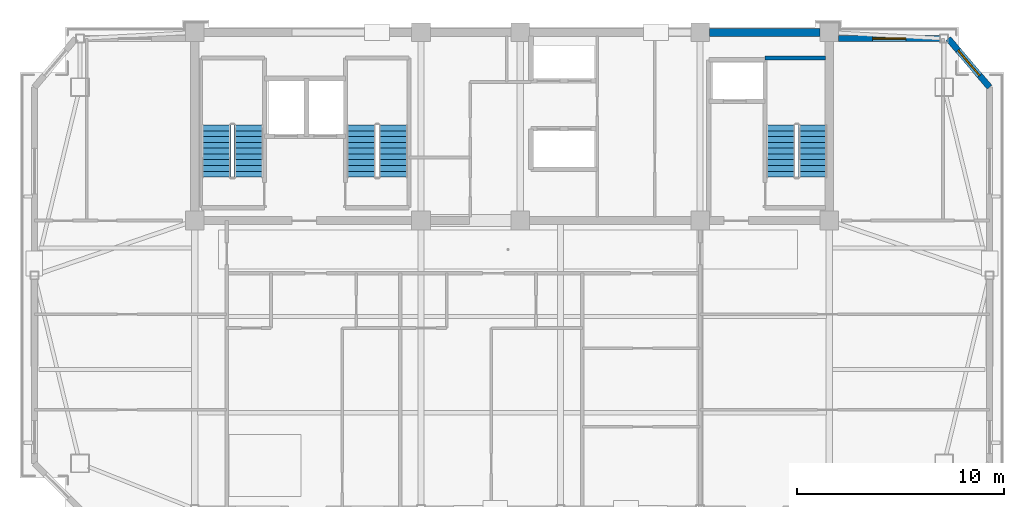
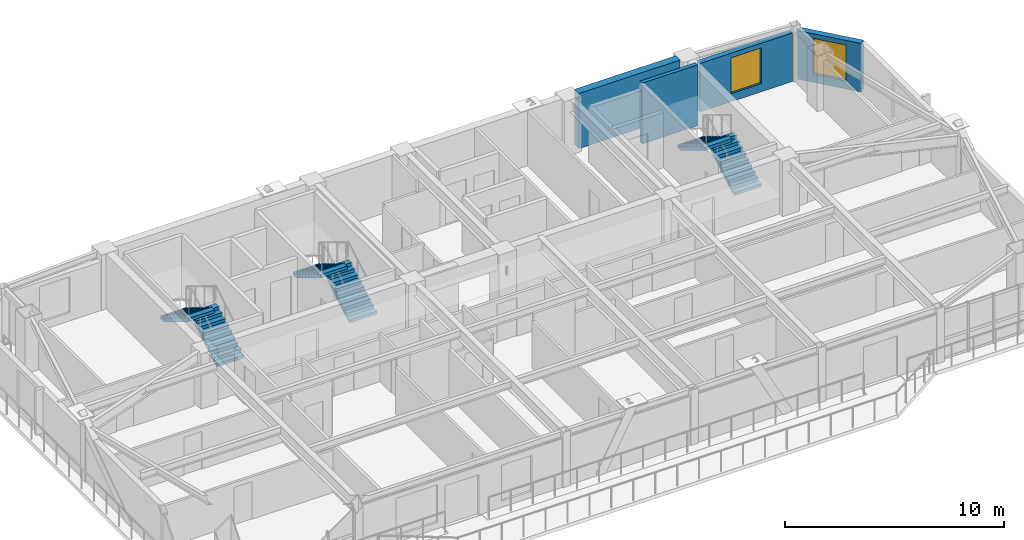
# One storey, part 9 of 13: 6 stair flights, 4 walls, 2 windows, 2 openings, 3 elements without a shape of their own.
"""IFC4 building model written with IfcOpenShell, lengths in metres."""

from ifc_helpers import new_model, si_unit, direction, frame, frame_2d, origin, place, context, subcontext, project, spatial, polyline, rectangle, outline, extrude, source, transform, mapped, material, layer, layer_set, type_object, element, fill, aggregate, save


model = new_model("IFC4")

# Units and contexts
model_context = context("Model", 3, precision=1e-05, world=origin(), true_north=direction((0.0, 1.0)))
body_context = subcontext(model_context, "Body", "Model", "MODEL_VIEW")
ifc_project = project(units=[si_unit("LENGTHUNIT", "METRE"), si_unit("AREAUNIT", "SQUARE_METRE"), si_unit("VOLUMEUNIT", "CUBIC_METRE"), si_unit("PLANEANGLEUNIT", "RADIAN"), si_unit("MASSUNIT", "GRAM", prefix="KILO")], contexts=[model_context])

# Site, building, storey
site_placement = place(None, origin())
site = spatial("IfcSite", under=ifc_project, at=site_placement, CompositionType="ELEMENT")
building_placement = place(site_placement, origin())
building = spatial("IfcBuilding", under=site, at=building_placement, Name="Giltprow Tower", CompositionType="ELEMENT")
storey_placement = place(building_placement, frame((0.0, 0.0, 349.300048828125)))
storey = spatial("IfcBuildingStorey", under=building, at=storey_placement, Name="L91", CompositionType="ELEMENT", Elevation=349.300048828125)

# Wall, opening, window
ifc_material_1 = material(Name="Precast concrete C40", Category="concrete")
ifc_layer_1 = layer(ifc_material_1, 0.300048828125, Name="Precast concrete C40")
ifc_layer_set_1 = layer_set([ifc_layer_1], Name="Precast concrete C40")
wall_type_1 = type_object("IfcWallType", Name="EW-NOTCH-CHAMFER-300", PredefinedType="SOLIDWALL", material=ifc_layer_set_1)
wall_1_placement = place(storey_placement, frame((58.300048828125, 43.89990234375, 0.0), z_axis=(0.0, 0.0, 1.0), x_axis=(-0.648103010114, 0.761552682538, 0.0)))
wall_1 = element("IfcWall", 1, at=wall_1_placement, inside=storey, type_object=wall_type_1, Name="L91 Corner Notch Wall NE", PredefinedType="SOLIDWALL", context=body_context, shape_type="SweptSolid", body=[
    extrude(rectangle(XDim=3.0859375, YDim=0.300048828125, at=frame_2d((1.54296875, 0.0))), origin(), (0.0, 0.0, 1.0), 2.7099609375),
])
opening_1_placement = place(wall_1_placement, frame((0.742919921875, 0.0, 0.449951171875)))
opening_1 = element("IfcOpeningElement", 2, at=opening_1_placement, cuts=wall_1, Name="Opening WN17", PredefinedType="OPENING", context=body_context, shape_type="SweptSolid", body=[
    extrude(rectangle(XDim=1.60009765625, YDim=2.0, at=frame_2d((0.800048828125, 1.0))), frame((0.0, 0.159912109375, 0.0), z_axis=(0.0, -1.0, 0.0), x_axis=(1.0, 0.0, 0.0)), (0.0, 0.0, 1.0), 0.320068359375),
])
ifc_material_2 = material(Name="Insulated glass", Category="glass")
window_type = type_object("IfcWindowType", Name="WN-COR-1600x2000", PartitioningType="SINGLE_PANEL", PredefinedType="WINDOW", material=ifc_material_2)
shared_shape = source(origin(), body_context, "Body", "SweptSolid", [
    extrude(rectangle(XDim=1.60009765625, YDim=2.0, at=frame_2d((0.800048828125, 1.0))), frame((0.0, 0.030029296875, 0.0), z_axis=(0.0, -1.0, 0.0), x_axis=(1.0, 0.0, 0.0)), (0.0, 0.0, 1.0), 0.06005859375),
])
window_1_placement = place(opening_1_placement, origin())
window_1 = element("IfcWindow", 3, at=window_1_placement, inside=storey, type_object=window_type, Name="L91 Corner Notch Window NE", OverallHeight=2.0, OverallWidth=1.60009765625, PartitioningType="SINGLE_PANEL", PredefinedType="WINDOW", context=body_context, shape_type="MappedRepresentation", body=[
    mapped(shared_shape, transform((0.0, 0.0, 0.0), x_axis=(1.0, 0.0, 0.0), y_axis=(0.0, 1.0, 0.0), z_axis=(0.0, 0.0, 1.0), scale=1.0)),
])
fill(opening_1, window_1)

ifc_layer_2 = layer(ifc_material_1, 0.280029296875, Name="Precast concrete C40")
ifc_layer_set_2 = layer_set([ifc_layer_2], Name="Precast concrete C40")
wall_type_2 = type_object("IfcWallType", Name="EW-TOW-BRONZE-280", PredefinedType="SOLIDWALL", material=ifc_layer_set_2)
wall_2_placement = place(storey_placement, frame((51.0, 46.25, 0.0), z_axis=(0.0, 0.0, 1.0), x_axis=(1.0, 0.0, 0.0)))
wall_2 = element("IfcWall", 4, at=wall_2_placement, inside=storey, type_object=wall_type_2, Name="L91 North-East Wing Wall", PredefinedType="SOLIDWALL", context=body_context, shape_type="SweptSolid", body=[
    extrude(rectangle(XDim=4.89990234375, YDim=0.280029296875, at=frame_2d((2.449951171875, 0.0))), origin(), (0.0, 0.0, 1.0), 2.7099609375),
])
opening_2_placement = place(wall_2_placement, frame((1.64990234375, 0.0, 0.449951171875)))
opening_2 = element("IfcOpeningElement", 5, at=opening_2_placement, cuts=wall_2, Name="Opening WN17", PredefinedType="OPENING", context=body_context, shape_type="SweptSolid", body=[
    extrude(rectangle(XDim=1.60009765625, YDim=2.0, at=frame_2d((0.800048828125, 1.0))), frame((0.0, 0.14990234375, 0.0), z_axis=(0.0, -1.0, 0.0), x_axis=(1.0, 0.0, 0.0)), (0.0, 0.0, 1.0), 0.300048828125),
])
window_2_placement = place(opening_2_placement, origin())
window_2 = element("IfcWindow", 6, at=window_2_placement, inside=storey, type_object=window_type, Name="L91 North-East Window", OverallHeight=2.0, OverallWidth=1.60009765625, PartitioningType="SINGLE_PANEL", PredefinedType="WINDOW", context=body_context, shape_type="MappedRepresentation", body=[
    mapped(shared_shape, transform((0.0, 0.0, 0.0), x_axis=(1.0, 0.0, 0.0), y_axis=(0.0, 1.0, 0.0), z_axis=(0.0, 0.0, 1.0), scale=1.0)),
])
fill(opening_2, window_2)

# Walls
ifc_material_3 = material(Name="Concrete C40", Category="concrete")
ifc_layer_3 = layer(ifc_material_3, 0.199951171875, Name="Concrete C40")
ifc_layer_set_3 = layer_set([ifc_layer_3], Name="Concrete C40")
wall_type_3 = type_object("IfcWallType", Name="IW-STAIR-200", PredefinedType="SOLIDWALL", material=ifc_layer_set_3)
wall_3_placement = place(storey_placement, frame((47.43994140625, 45.320068359375, 0.0), z_axis=(0.0, 0.0, 1.0), x_axis=(1.0, 0.0, 0.0)))
element("IfcWall", 7, at=wall_3_placement, inside=storey, type_object=wall_type_3, Name="L91 Stair ST-3 North Bearing Wall", PredefinedType="SOLIDWALL", context=body_context, shape_type="SweptSolid", body=[
    extrude(rectangle(XDim=2.93017578125, YDim=0.199951171875, at=frame_2d((1.465087890625, 0.0))), origin(), (0.0, 0.0, 1.0), 3.39990234375),
])
ifc_material_4 = material(Name="Concrete C45", Category="concrete")
ifc_layer_4 = layer(ifc_material_4, 0.39990234375, Name="Concrete C45")
ifc_layer_set_4 = layer_set([ifc_layer_4], Name="Concrete C45")
wall_type_4 = type_object("IfcWallType", Name="SW-EXT-400-C45", PredefinedType="SHEAR", material=ifc_layer_set_4)
wall_4_placement = place(storey_placement, frame((44.75, 46.550048828125, 0.0), z_axis=(0.0, 0.0, 1.0), x_axis=(1.0, 0.0, 0.0)))
element("IfcWall", 8, at=wall_4_placement, inside=storey, type_object=wall_type_4, Name="L91 North Rear Core Shear Wall 4", PredefinedType="SHEAR", context=body_context, shape_type="SweptSolid", body=[
    extrude(rectangle(XDim=5.35009765625, YDim=0.39990234375, at=frame_2d((2.675048828125, 0.0))), origin(), (0.0, 0.0, 1.0), 3.079833984375),
])

# Stair, stair flights
stair_type_1 = type_object("IfcStairType", Name="STR-ST-1", PredefinedType="HALF_TURN_STAIR", material=ifc_material_3)
stair_1_placement = place(storey_placement, origin())
stair_1 = element("IfcStair", 9, at=stair_1_placement, inside=storey, type_object=stair_type_1, Name="L91 Core Exit Stair ST-1", PredefinedType="HALF_TURN_STAIR")
stair_flight_type_1 = type_object("IfcStairFlightType", Name="SFL-ST-1", PredefinedType="STRAIGHT", material=ifc_material_3)
stair_flight_1_placement = place(storey_placement, frame((22.4599609375, 39.550048828125, 0.0), z_axis=(0.0, 0.0, 1.0), x_axis=(0.0, 1.0, 0.0)))
stair_flight_1 = element("IfcStairFlight", 10, at=stair_flight_1_placement, type_object=stair_flight_type_1, Name="ST-1 flight 1", NumberOfRisers=10, NumberOfTreads=9, PredefinedType="STRAIGHT", RiserHeight=0.17, TreadLength=0.28, context=body_context, shape_type="SweptSolid", body=[
    extrude(outline(polyline([(0.0, 0.0), (0.0, 0.169921875), (0.280029296875, 0.169921875), (0.280029296875, 0.340087890625), (0.56005859375, 0.340087890625), (0.56005859375, 0.510009765625), (0.840087890625, 0.510009765625), (0.840087890625, 0.679931640625), (1.1201171875, 0.679931640625), (1.1201171875, 0.85009765625), (1.39990234375, 0.85009765625), (1.39990234375, 1.02001953125), (1.679931640625, 1.02001953125), (1.679931640625, 1.18994140625), (1.9599609375, 1.18994140625), (1.9599609375, 1.360107421875), (2.239990234375, 1.360107421875), (2.239990234375, 1.530029296875), (2.52001953125, 1.530029296875), (2.52001953125, 1.699951171875), (2.52001953125, 1.354736328125), (0.288818359375, 0.0), (0.0, 0.0)])), frame((0.0, 0.699951171875, 0.0), z_axis=(0.0, -1.0, 0.0), x_axis=(1.0, 0.0, 0.0)), (0.0, 0.0, 1.0), 1.39990234375),
])
stair_flight_2_placement = place(storey_placement, frame((20.89990234375, 42.070068359375, 1.699951171875), z_axis=(0.0, 0.0, 1.0), x_axis=(0.0, -1.0, 0.0)))
stair_flight_2 = element("IfcStairFlight", 11, at=stair_flight_2_placement, type_object=stair_flight_type_1, Name="ST-1 flight 2", NumberOfRisers=10, NumberOfTreads=9, PredefinedType="STRAIGHT", RiserHeight=0.17, TreadLength=0.28, context=body_context, shape_type="SweptSolid", body=[
    extrude(outline(polyline([(0.0, 0.0), (0.0, 0.169921875), (0.280029296875, 0.169921875), (0.280029296875, 0.340087890625), (0.56005859375, 0.340087890625), (0.56005859375, 0.510009765625), (0.840087890625, 0.510009765625), (0.840087890625, 0.679931640625), (1.1201171875, 0.679931640625), (1.1201171875, 0.85009765625), (1.39990234375, 0.85009765625), (1.39990234375, 1.02001953125), (1.679931640625, 1.02001953125), (1.679931640625, 1.18994140625), (1.9599609375, 1.18994140625), (1.9599609375, 1.360107421875), (2.239990234375, 1.360107421875), (2.239990234375, 1.530029296875), (2.52001953125, 1.530029296875), (2.52001953125, 1.699951171875), (2.52001953125, 1.354736328125), (0.288818359375, 0.0), (0.0, 0.0)])), frame((0.0, 0.699951171875, 0.0), z_axis=(0.0, -1.0, 0.0), x_axis=(1.0, 0.0, 0.0)), (0.0, 0.0, 1.0), 1.39990234375),
])
aggregate(stair_1, [stair_flight_1, stair_flight_2])

stair_type_2 = type_object("IfcStairType", Name="STR-ST-2", PredefinedType="HALF_TURN_STAIR", material=ifc_material_3)
stair_2_placement = place(storey_placement, origin())
stair_2 = element("IfcStair", 12, at=stair_2_placement, inside=storey, type_object=stair_type_2, Name="L91 Core Exit Stair ST-2", PredefinedType="HALF_TURN_STAIR")
stair_flight_type_2 = type_object("IfcStairFlightType", Name="SFL-ST-2", PredefinedType="STRAIGHT", material=ifc_material_3)
stair_flight_3_placement = place(storey_placement, frame((29.4599609375, 39.550048828125, 0.0), z_axis=(0.0, 0.0, 1.0), x_axis=(0.0, 1.0, 0.0)))
stair_flight_3 = element("IfcStairFlight", 13, at=stair_flight_3_placement, type_object=stair_flight_type_2, Name="ST-2 flight 1", NumberOfRisers=10, NumberOfTreads=9, PredefinedType="STRAIGHT", RiserHeight=0.17, TreadLength=0.28, context=body_context, shape_type="SweptSolid", body=[
    extrude(outline(polyline([(0.0, 0.0), (0.0, 0.169921875), (0.280029296875, 0.169921875), (0.280029296875, 0.340087890625), (0.56005859375, 0.340087890625), (0.56005859375, 0.510009765625), (0.840087890625, 0.510009765625), (0.840087890625, 0.679931640625), (1.1201171875, 0.679931640625), (1.1201171875, 0.85009765625), (1.39990234375, 0.85009765625), (1.39990234375, 1.02001953125), (1.679931640625, 1.02001953125), (1.679931640625, 1.18994140625), (1.9599609375, 1.18994140625), (1.9599609375, 1.360107421875), (2.239990234375, 1.360107421875), (2.239990234375, 1.530029296875), (2.52001953125, 1.530029296875), (2.52001953125, 1.699951171875), (2.52001953125, 1.354736328125), (0.288818359375, 0.0), (0.0, 0.0)])), frame((0.0, 0.699951171875, 0.0), z_axis=(0.0, -1.0, 0.0), x_axis=(1.0, 0.0, 0.0)), (0.0, 0.0, 1.0), 1.39990234375),
])
stair_flight_4_placement = place(storey_placement, frame((27.89990234375, 42.070068359375, 1.699951171875), z_axis=(0.0, 0.0, 1.0), x_axis=(0.0, -1.0, 0.0)))
stair_flight_4 = element("IfcStairFlight", 14, at=stair_flight_4_placement, type_object=stair_flight_type_2, Name="ST-2 flight 2", NumberOfRisers=10, NumberOfTreads=9, PredefinedType="STRAIGHT", RiserHeight=0.17, TreadLength=0.28, context=body_context, shape_type="SweptSolid", body=[
    extrude(outline(polyline([(0.0, 0.0), (0.0, 0.169921875), (0.280029296875, 0.169921875), (0.280029296875, 0.340087890625), (0.56005859375, 0.340087890625), (0.56005859375, 0.510009765625), (0.840087890625, 0.510009765625), (0.840087890625, 0.679931640625), (1.1201171875, 0.679931640625), (1.1201171875, 0.85009765625), (1.39990234375, 0.85009765625), (1.39990234375, 1.02001953125), (1.679931640625, 1.02001953125), (1.679931640625, 1.18994140625), (1.9599609375, 1.18994140625), (1.9599609375, 1.360107421875), (2.239990234375, 1.360107421875), (2.239990234375, 1.530029296875), (2.52001953125, 1.530029296875), (2.52001953125, 1.699951171875), (2.52001953125, 1.354736328125), (0.288818359375, 0.0), (0.0, 0.0)])), frame((0.0, 0.699951171875, 0.0), z_axis=(0.0, -1.0, 0.0), x_axis=(1.0, 0.0, 0.0)), (0.0, 0.0, 1.0), 1.39990234375),
])
aggregate(stair_2, [stair_flight_3, stair_flight_4])

stair_type_3 = type_object("IfcStairType", Name="STR-ST-3", PredefinedType="HALF_TURN_STAIR", material=ifc_material_3)
stair_3_placement = place(storey_placement, origin())
stair_3 = element("IfcStair", 15, at=stair_3_placement, inside=storey, type_object=stair_type_3, Name="L91 Core Exit Stair ST-3", PredefinedType="HALF_TURN_STAIR")
stair_flight_type_3 = type_object("IfcStairFlightType", Name="SFL-ST-3", PredefinedType="STRAIGHT", material=ifc_material_3)
stair_flight_5_placement = place(storey_placement, frame((49.760009765625, 39.550048828125, 0.0), z_axis=(0.0, 0.0, 1.0), x_axis=(0.0, 1.0, 0.0)))
stair_flight_5 = element("IfcStairFlight", 16, at=stair_flight_5_placement, type_object=stair_flight_type_3, Name="ST-3 flight 1", NumberOfRisers=10, NumberOfTreads=9, PredefinedType="STRAIGHT", RiserHeight=0.17, TreadLength=0.28, context=body_context, shape_type="SweptSolid", body=[
    extrude(outline(polyline([(0.0, 0.0), (0.0, 0.169921875), (0.280029296875, 0.169921875), (0.280029296875, 0.340087890625), (0.56005859375, 0.340087890625), (0.56005859375, 0.510009765625), (0.840087890625, 0.510009765625), (0.840087890625, 0.679931640625), (1.1201171875, 0.679931640625), (1.1201171875, 0.85009765625), (1.39990234375, 0.85009765625), (1.39990234375, 1.02001953125), (1.679931640625, 1.02001953125), (1.679931640625, 1.18994140625), (1.9599609375, 1.18994140625), (1.9599609375, 1.360107421875), (2.239990234375, 1.360107421875), (2.239990234375, 1.530029296875), (2.52001953125, 1.530029296875), (2.52001953125, 1.699951171875), (2.52001953125, 1.354736328125), (0.288818359375, 0.0), (0.0, 0.0)])), frame((0.0, 0.699951171875, 0.0), z_axis=(0.0, -1.0, 0.0), x_axis=(1.0, 0.0, 0.0)), (0.0, 0.0, 1.0), 1.39990234375),
])
stair_flight_6_placement = place(storey_placement, frame((48.199951171875, 42.070068359375, 1.699951171875), z_axis=(0.0, 0.0, 1.0), x_axis=(0.0, -1.0, 0.0)))
stair_flight_6 = element("IfcStairFlight", 17, at=stair_flight_6_placement, type_object=stair_flight_type_3, Name="ST-3 flight 2", NumberOfRisers=10, NumberOfTreads=9, PredefinedType="STRAIGHT", RiserHeight=0.17, TreadLength=0.28, context=body_context, shape_type="SweptSolid", body=[
    extrude(outline(polyline([(0.0, 0.0), (0.0, 0.169921875), (0.280029296875, 0.169921875), (0.280029296875, 0.340087890625), (0.56005859375, 0.340087890625), (0.56005859375, 0.510009765625), (0.840087890625, 0.510009765625), (0.840087890625, 0.679931640625), (1.1201171875, 0.679931640625), (1.1201171875, 0.85009765625), (1.39990234375, 0.85009765625), (1.39990234375, 1.02001953125), (1.679931640625, 1.02001953125), (1.679931640625, 1.18994140625), (1.9599609375, 1.18994140625), (1.9599609375, 1.360107421875), (2.239990234375, 1.360107421875), (2.239990234375, 1.530029296875), (2.52001953125, 1.530029296875), (2.52001953125, 1.699951171875), (2.52001953125, 1.354736328125), (0.288818359375, 0.0), (0.0, 0.0)])), frame((0.0, 0.699951171875, 0.0), z_axis=(0.0, -1.0, 0.0), x_axis=(1.0, 0.0, 0.0)), (0.0, 0.0, 1.0), 1.39990234375),
])
aggregate(stair_3, [stair_flight_5, stair_flight_6])

save(model, "model.ifc")
